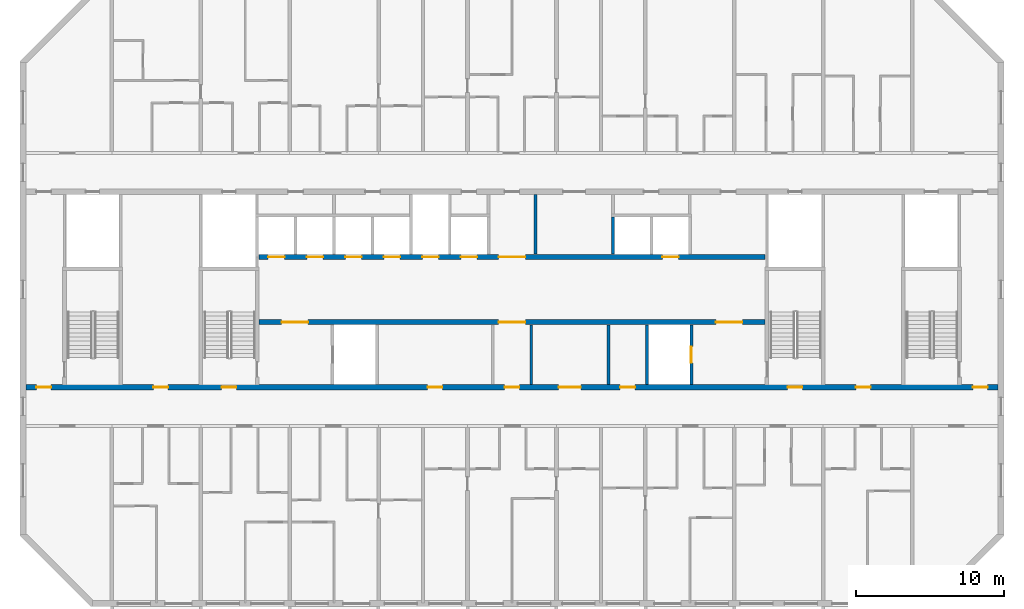
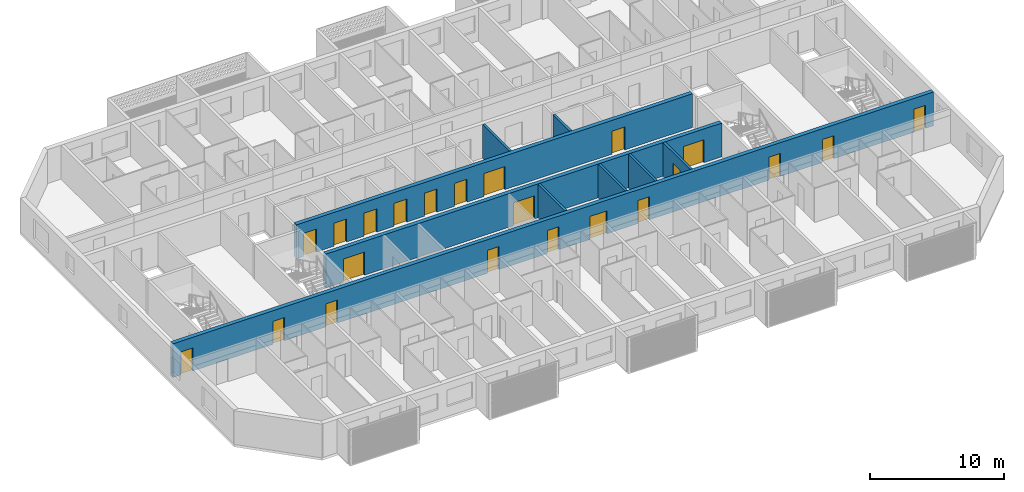
# One storey, part 6 of 26: 22 doors, 9 walls, 22 openings.
"""IFC4 building model written with IfcOpenShell, lengths in metres."""

from ifc_helpers import new_model, si_unit, direction, frame, frame_2d, origin, place, context, subcontext, project, spatial, rectangle, extrude, material, layer, layer_set, type_object, element, fill, save


model = new_model("IFC4")

# Units and contexts
model_context = context("Model", 3, precision=1e-05, world=origin(), true_north=direction((0.0, 1.0)))
body_context = subcontext(model_context, "Body", "Model", "MODEL_VIEW")
ifc_project = project(units=[si_unit("LENGTHUNIT", "METRE"), si_unit("AREAUNIT", "SQUARE_METRE"), si_unit("VOLUMEUNIT", "CUBIC_METRE"), si_unit("PLANEANGLEUNIT", "RADIAN"), si_unit("MASSUNIT", "GRAM", prefix="KILO")], contexts=[model_context])

# Site, building, storey
site_placement = place(None, origin())
site = spatial("IfcSite", under=ifc_project, at=site_placement, CompositionType="ELEMENT")
building_placement = place(site_placement, origin())
building = spatial("IfcBuilding", under=site, at=building_placement, Name="Poui Terraces", CompositionType="ELEMENT")
storey_placement = place(building_placement, frame((0.0, 0.0, 221.39990234375)))
storey = spatial("IfcBuildingStorey", under=building, at=storey_placement, Name="L61", CompositionType="ELEMENT", Elevation=221.39990234375)

# Wall, openings, doors
ifc_material_1 = material(Name="Concrete 50 MPa", Category="concrete")
ifc_layer_1 = layer(ifc_material_1, 0.35009765625)
ifc_layer_set_1 = layer_set([ifc_layer_1], Name="Concrete 50 MPa")
wall_type_1 = type_object("IfcWallType", Name="CORE WALL 350 50 MPA", PredefinedType="SOLIDWALL", material=ifc_layer_set_1)
wall_1_placement = place(storey_placement, frame((33.925048828125, 19.0, 0.0), z_axis=(0.0, 0.0, 1.0), x_axis=(1.0, 0.0, 0.0)))
wall_1 = element("IfcWall", 1, at=wall_1_placement, inside=storey, type_object=wall_type_1, Name="CORE WALL", PredefinedType="SOLIDWALL", context=body_context, shape_type="SweptSolid", body=[
    extrude(rectangle(XDim=34.14990234375, YDim=0.35009765625, at=frame_2d((17.074951171875, 0.0))), origin(), (0.0, 0.0, 1.0), 3.080078125),
])
opening_1_placement = place(wall_1_placement, frame((16.175048828125, 0.0, 0.0)))
opening_1 = element("IfcOpeningElement", 2, at=opening_1_placement, cuts=wall_1, Name="Opening FDD60", PredefinedType="OPENING", context=body_context, shape_type="SweptSolid", body=[
    extrude(rectangle(XDim=1.800048828125, YDim=2.10009765625, at=frame_2d((0.89990234375, 1.050048828125))), frame((0.0, 0.18505859375, 0.0), z_axis=(0.0, -1.0, 0.0), x_axis=(1.0, 0.0, 0.0)), (0.0, 0.0, 1.0), 0.3701171875),
])
opening_2_placement = place(wall_1_placement, frame((1.52490234375, 0.0, 0.0)))
opening_2 = element("IfcOpeningElement", 3, at=opening_2_placement, cuts=wall_1, Name="Opening FDD60", PredefinedType="OPENING", context=body_context, shape_type="SweptSolid", body=[
    extrude(rectangle(XDim=1.800048828125, YDim=2.10009765625, at=frame_2d((0.89990234375, 1.050048828125))), frame((0.0, 0.18505859375, 0.0), z_axis=(0.0, -1.0, 0.0), x_axis=(1.0, 0.0, 0.0)), (0.0, 0.0, 1.0), 0.3701171875),
])
opening_3_placement = place(wall_1_placement, frame((30.824951171875, 0.0, 0.0)))
opening_3 = element("IfcOpeningElement", 4, at=opening_3_placement, cuts=wall_1, Name="Opening FDD60", PredefinedType="OPENING", context=body_context, shape_type="SweptSolid", body=[
    extrude(rectangle(XDim=1.800048828125, YDim=2.10009765625, at=frame_2d((0.89990234375, 1.050048828125))), frame((0.0, 0.18505859375, 0.0), z_axis=(0.0, -1.0, 0.0), x_axis=(1.0, 0.0, 0.0)), (0.0, 0.0, 1.0), 0.3701171875),
])
ifc_material_2 = material(Name="Steel fire door", Category="steel")
door_type_1 = type_object("IfcDoorType", Name="DOUBLE LOBBY FIRE DOOR 1800 X 2100", OperationType="DOUBLE_DOOR_SINGLE_SWING", PredefinedType="DOOR", material=ifc_material_2)
door_1_placement = place(opening_1_placement, frame((1.800048828125, 0.0, 0.0), z_axis=(0.0, 0.0, 1.0), x_axis=(-1.0, 0.0, 0.0)))
door_1 = element("IfcDoor", 5, at=door_1_placement, inside=storey, type_object=door_type_1, Name="DOUBLE LOBBY FIRE DOOR 100", OperationType="DOUBLE_DOOR_SINGLE_SWING", OverallHeight=2.10009765625, OverallWidth=1.800048828125, PredefinedType="DOOR", context=body_context, shape_type="SweptSolid", body=[
    extrude(rectangle(XDim=1.800048828125, YDim=2.10009765625, at=frame_2d((0.89990234375, 1.050048828125))), frame((0.0, 0.02490234375, 0.0), z_axis=(0.0, -1.0, 0.0), x_axis=(1.0, 0.0, 0.0)), (0.0, 0.0, 1.0), 0.050048828125),
])
fill(opening_1, door_1)
door_2_placement = place(opening_2_placement, origin())
door_2 = element("IfcDoor", 6, at=door_2_placement, inside=storey, type_object=door_type_1, Name="DOUBLE LOBBY FIRE DOOR 102", OperationType="DOUBLE_DOOR_SINGLE_SWING", OverallHeight=2.10009765625, OverallWidth=1.800048828125, PredefinedType="DOOR", context=body_context, shape_type="SweptSolid", body=[
    extrude(rectangle(XDim=1.800048828125, YDim=2.10009765625, at=frame_2d((0.89990234375, 1.050048828125))), frame((0.0, 0.02490234375, 0.0), z_axis=(0.0, -1.0, 0.0), x_axis=(1.0, 0.0, 0.0)), (0.0, 0.0, 1.0), 0.050048828125),
])
fill(opening_2, door_2)
door_3_placement = place(opening_3_placement, origin())
door_3 = element("IfcDoor", 7, at=door_3_placement, inside=storey, type_object=door_type_1, Name="DOUBLE LOBBY FIRE DOOR 109", OperationType="DOUBLE_DOOR_SINGLE_SWING", OverallHeight=2.10009765625, OverallWidth=1.800048828125, PredefinedType="DOOR", context=body_context, shape_type="SweptSolid", body=[
    extrude(rectangle(XDim=1.800048828125, YDim=2.10009765625, at=frame_2d((0.89990234375, 1.050048828125))), frame((0.0, 0.02490234375, 0.0), z_axis=(0.0, -1.0, 0.0), x_axis=(1.0, 0.0, 0.0)), (0.0, 0.0, 1.0), 0.050048828125),
])
fill(opening_3, door_3)

wall_2_placement = place(storey_placement, frame((33.925048828125, 23.39990234375, 0.0), z_axis=(0.0, 0.0, 1.0), x_axis=(1.0, 0.0, 0.0)))
wall_2 = element("IfcWall", 8, at=wall_2_placement, inside=storey, type_object=wall_type_1, Name="CORE WALL", PredefinedType="SOLIDWALL", context=body_context, shape_type="SweptSolid", body=[
    extrude(rectangle(XDim=34.14990234375, YDim=0.35009765625, at=frame_2d((17.074951171875, 0.0))), origin(), (0.0, 0.0, 1.0), 3.080078125),
])
opening_4_placement = place(wall_2_placement, frame((16.175048828125, 0.0, 0.0)))
opening_4 = element("IfcOpeningElement", 9, at=opening_4_placement, cuts=wall_2, Name="Opening FDD60", PredefinedType="OPENING", context=body_context, shape_type="SweptSolid", body=[
    extrude(rectangle(XDim=1.800048828125, YDim=2.10009765625, at=frame_2d((0.89990234375, 1.050048828125))), frame((0.0, 0.18505859375, 0.0), z_axis=(0.0, -1.0, 0.0), x_axis=(1.0, 0.0, 0.0)), (0.0, 0.0, 1.0), 0.3701171875),
])
opening_5_placement = place(wall_2_placement, frame((0.625, 0.0, 0.0)))
opening_5 = element("IfcOpeningElement", 10, at=opening_5_placement, cuts=wall_2, Name="Opening LD", PredefinedType="OPENING", context=body_context, shape_type="SweptSolid", body=[
    extrude(rectangle(XDim=1.10009765625, YDim=2.10009765625, at=frame_2d((0.550048828125, 1.050048828125))), frame((0.0, 0.18505859375, 0.0), z_axis=(0.0, -1.0, 0.0), x_axis=(1.0, 0.0, 0.0)), (0.0, 0.0, 1.0), 0.3701171875),
])
opening_6_placement = place(wall_2_placement, frame((3.22509765625, 0.0, 0.0)))
opening_6 = element("IfcOpeningElement", 11, at=opening_6_placement, cuts=wall_2, Name="Opening LD", PredefinedType="OPENING", context=body_context, shape_type="SweptSolid", body=[
    extrude(rectangle(XDim=1.10009765625, YDim=2.10009765625, at=frame_2d((0.550048828125, 1.050048828125))), frame((0.0, 0.18505859375, 0.0), z_axis=(0.0, -1.0, 0.0), x_axis=(1.0, 0.0, 0.0)), (0.0, 0.0, 1.0), 0.3701171875),
])
opening_7_placement = place(wall_2_placement, frame((5.824951171875, 0.0, 0.0)))
opening_7 = element("IfcOpeningElement", 12, at=opening_7_placement, cuts=wall_2, Name="Opening LD", PredefinedType="OPENING", context=body_context, shape_type="SweptSolid", body=[
    extrude(rectangle(XDim=1.10009765625, YDim=2.10009765625, at=frame_2d((0.550048828125, 1.050048828125))), frame((0.0, 0.18505859375, 0.0), z_axis=(0.0, -1.0, 0.0), x_axis=(1.0, 0.0, 0.0)), (0.0, 0.0, 1.0), 0.3701171875),
])
opening_8_placement = place(wall_2_placement, frame((8.425048828125, 0.0, 0.0)))
opening_8 = element("IfcOpeningElement", 13, at=opening_8_placement, cuts=wall_2, Name="Opening LD", PredefinedType="OPENING", context=body_context, shape_type="SweptSolid", body=[
    extrude(rectangle(XDim=1.10009765625, YDim=2.10009765625, at=frame_2d((0.550048828125, 1.050048828125))), frame((0.0, 0.18505859375, 0.0), z_axis=(0.0, -1.0, 0.0), x_axis=(1.0, 0.0, 0.0)), (0.0, 0.0, 1.0), 0.3701171875),
])
opening_9_placement = place(wall_2_placement, frame((11.02490234375, 0.0, 0.0)))
opening_9 = element("IfcOpeningElement", 14, at=opening_9_placement, cuts=wall_2, Name="Opening LD", PredefinedType="OPENING", context=body_context, shape_type="SweptSolid", body=[
    extrude(rectangle(XDim=1.10009765625, YDim=2.10009765625, at=frame_2d((0.550048828125, 1.050048828125))), frame((0.0, 0.18505859375, 0.0), z_axis=(0.0, -1.0, 0.0), x_axis=(1.0, 0.0, 0.0)), (0.0, 0.0, 1.0), 0.3701171875),
])
opening_10_placement = place(wall_2_placement, frame((13.625, 0.0, 0.0)))
opening_10 = element("IfcOpeningElement", 15, at=opening_10_placement, cuts=wall_2, Name="Opening LD", PredefinedType="OPENING", context=body_context, shape_type="SweptSolid", body=[
    extrude(rectangle(XDim=1.10009765625, YDim=2.10009765625, at=frame_2d((0.550048828125, 1.050048828125))), frame((0.0, 0.18505859375, 0.0), z_axis=(0.0, -1.0, 0.0), x_axis=(1.0, 0.0, 0.0)), (0.0, 0.0, 1.0), 0.3701171875),
])
opening_11_placement = place(wall_2_placement, frame((27.22509765625, 0.0, 0.0)))
opening_11 = element("IfcOpeningElement", 16, at=opening_11_placement, cuts=wall_2, Name="Opening LD", PredefinedType="OPENING", context=body_context, shape_type="SweptSolid", body=[
    extrude(rectangle(XDim=1.10009765625, YDim=2.10009765625, at=frame_2d((0.550048828125, 1.050048828125))), frame((0.0, 0.18505859375, 0.0), z_axis=(0.0, -1.0, 0.0), x_axis=(1.0, 0.0, 0.0)), (0.0, 0.0, 1.0), 0.3701171875),
])
door_4_placement = place(opening_4_placement, origin())
door_4 = element("IfcDoor", 17, at=door_4_placement, inside=storey, type_object=door_type_1, Name="DOUBLE LOBBY FIRE DOOR 099", OperationType="DOUBLE_DOOR_SINGLE_SWING", OverallHeight=2.10009765625, OverallWidth=1.800048828125, PredefinedType="DOOR", context=body_context, shape_type="SweptSolid", body=[
    extrude(rectangle(XDim=1.800048828125, YDim=2.10009765625, at=frame_2d((0.89990234375, 1.050048828125))), frame((0.0, 0.02490234375, 0.0), z_axis=(0.0, -1.0, 0.0), x_axis=(1.0, 0.0, 0.0)), (0.0, 0.0, 1.0), 0.050048828125),
])
fill(opening_4, door_4)
ifc_material_3 = material(Name="Stainless steel sliding door", Category="steel")
door_type_2 = type_object("IfcDoorType", Name="LIFT LANDING DOOR 1100 X 2100", OperationType="DOUBLE_DOOR_SLIDING", PredefinedType="DOOR", material=ifc_material_3)
door_5_placement = place(opening_5_placement, origin())
door_5 = element("IfcDoor", 18, at=door_5_placement, inside=storey, type_object=door_type_2, Name="LANDING DOOR", OperationType="DOUBLE_DOOR_SLIDING", OverallHeight=2.10009765625, OverallWidth=1.10009765625, PredefinedType="DOOR", context=body_context, shape_type="SweptSolid", body=[
    extrude(rectangle(XDim=1.10009765625, YDim=2.10009765625, at=frame_2d((0.550048828125, 1.050048828125))), frame((0.0, 0.02490234375, 0.0), z_axis=(0.0, -1.0, 0.0), x_axis=(1.0, 0.0, 0.0)), (0.0, 0.0, 1.0), 0.050048828125),
])
fill(opening_5, door_5)
door_6_placement = place(opening_6_placement, origin())
door_6 = element("IfcDoor", 19, at=door_6_placement, inside=storey, type_object=door_type_2, Name="LANDING DOOR", OperationType="DOUBLE_DOOR_SLIDING", OverallHeight=2.10009765625, OverallWidth=1.10009765625, PredefinedType="DOOR", context=body_context, shape_type="SweptSolid", body=[
    extrude(rectangle(XDim=1.10009765625, YDim=2.10009765625, at=frame_2d((0.550048828125, 1.050048828125))), frame((0.0, 0.02490234375, 0.0), z_axis=(0.0, -1.0, 0.0), x_axis=(1.0, 0.0, 0.0)), (0.0, 0.0, 1.0), 0.050048828125),
])
fill(opening_6, door_6)
door_7_placement = place(opening_7_placement, origin())
door_7 = element("IfcDoor", 20, at=door_7_placement, inside=storey, type_object=door_type_2, Name="LANDING DOOR", OperationType="DOUBLE_DOOR_SLIDING", OverallHeight=2.10009765625, OverallWidth=1.10009765625, PredefinedType="DOOR", context=body_context, shape_type="SweptSolid", body=[
    extrude(rectangle(XDim=1.10009765625, YDim=2.10009765625, at=frame_2d((0.550048828125, 1.050048828125))), frame((0.0, 0.02490234375, 0.0), z_axis=(0.0, -1.0, 0.0), x_axis=(1.0, 0.0, 0.0)), (0.0, 0.0, 1.0), 0.050048828125),
])
fill(opening_7, door_7)
door_8_placement = place(opening_8_placement, origin())
door_8 = element("IfcDoor", 21, at=door_8_placement, inside=storey, type_object=door_type_2, Name="LANDING DOOR", OperationType="DOUBLE_DOOR_SLIDING", OverallHeight=2.10009765625, OverallWidth=1.10009765625, PredefinedType="DOOR", context=body_context, shape_type="SweptSolid", body=[
    extrude(rectangle(XDim=1.10009765625, YDim=2.10009765625, at=frame_2d((0.550048828125, 1.050048828125))), frame((0.0, 0.02490234375, 0.0), z_axis=(0.0, -1.0, 0.0), x_axis=(1.0, 0.0, 0.0)), (0.0, 0.0, 1.0), 0.050048828125),
])
fill(opening_8, door_8)
door_9_placement = place(opening_9_placement, origin())
door_9 = element("IfcDoor", 22, at=door_9_placement, inside=storey, type_object=door_type_2, Name="LANDING DOOR", OperationType="DOUBLE_DOOR_SLIDING", OverallHeight=2.10009765625, OverallWidth=1.10009765625, PredefinedType="DOOR", context=body_context, shape_type="SweptSolid", body=[
    extrude(rectangle(XDim=1.10009765625, YDim=2.10009765625, at=frame_2d((0.550048828125, 1.050048828125))), frame((0.0, 0.02490234375, 0.0), z_axis=(0.0, -1.0, 0.0), x_axis=(1.0, 0.0, 0.0)), (0.0, 0.0, 1.0), 0.050048828125),
])
fill(opening_9, door_9)
door_10_placement = place(opening_10_placement, origin())
door_10 = element("IfcDoor", 23, at=door_10_placement, inside=storey, type_object=door_type_2, Name="LANDING DOOR", OperationType="DOUBLE_DOOR_SLIDING", OverallHeight=2.10009765625, OverallWidth=1.10009765625, PredefinedType="DOOR", context=body_context, shape_type="SweptSolid", body=[
    extrude(rectangle(XDim=1.10009765625, YDim=2.10009765625, at=frame_2d((0.550048828125, 1.050048828125))), frame((0.0, 0.02490234375, 0.0), z_axis=(0.0, -1.0, 0.0), x_axis=(1.0, 0.0, 0.0)), (0.0, 0.0, 1.0), 0.050048828125),
])
fill(opening_10, door_10)
door_11_placement = place(opening_11_placement, origin())
door_11 = element("IfcDoor", 24, at=door_11_placement, inside=storey, type_object=door_type_2, Name="LANDING DOOR", OperationType="DOUBLE_DOOR_SLIDING", OverallHeight=2.10009765625, OverallWidth=1.10009765625, PredefinedType="DOOR", context=body_context, shape_type="SweptSolid", body=[
    extrude(rectangle(XDim=1.10009765625, YDim=2.10009765625, at=frame_2d((0.550048828125, 1.050048828125))), frame((0.0, 0.02490234375, 0.0), z_axis=(0.0, -1.0, 0.0), x_axis=(1.0, 0.0, 0.0)), (0.0, 0.0, 1.0), 0.050048828125),
])
fill(opening_11, door_11)

# Walls
ifc_material_4 = material(Name="Fire-rated masonry wall", Category="masonry")
ifc_layer_2 = layer(ifc_material_4, 0.199951171875)
ifc_layer_set_2 = layer_set([ifc_layer_2], Name="Fire-rated masonry wall")
wall_type_2 = type_object("IfcWallType", Name="PLANT ROOM WALL 200", PredefinedType="PARTITIONING", material=ifc_layer_set_2)
for number, where, z_axis, x_axis, name in (
    (25, (52.300048828125, 14.784912109375, 0.0), (0.0, 0.0, 1.0), (0.0, 1.0, 0.0), "PLANT ROOM WALL 200"),
    (26, (52.60009765625, 23.5849609375, 0.0), (0.0, 0.0, 1.0), (0.0, 1.0, 0.0), "PLANT ROOM WALL 200"),
    (27, (57.5, 14.784912109375, 0.0), (0.0, 0.0, 1.0), (0.0, 1.0, 0.0), "PLANT ROOM WALL 200"),
):
    element("IfcWall", number, at=place(storey_placement, frame(where, z_axis=z_axis, x_axis=x_axis)), inside=storey, type_object=wall_type_2, Name=name, PredefinedType="PARTITIONING", context=body_context, shape_type="SweptSolid", body=[
        extrude(rectangle(XDim=4.030029296875, YDim=0.199951171875, at=frame_2d((2.01513671875, 0.0))), origin(), (0.0, 0.0, 1.0), 3.080078125),
    ])
ifc_material_5 = material(Name="Fire-rated masonry shaft wall", Category="masonry")
ifc_layer_3 = layer(ifc_material_5, 0.199951171875)
ifc_layer_set_3 = layer_set([ifc_layer_3], Name="Fire-rated masonry shaft wall")
wall_type_3 = type_object("IfcWallType", Name="SHAFT WALL 200", PredefinedType="PARTITIONING", material=ifc_layer_set_3)
wall_3_placement = place(storey_placement, frame((57.800048828125, 23.5849609375, 0.0), z_axis=(0.0, 0.0, 1.0), x_axis=(0.0, 1.0, 0.0)))
element("IfcWall", 28, at=wall_3_placement, inside=storey, type_object=wall_type_3, Name="SHAFT WALL 200", PredefinedType="PARTITIONING", context=body_context, shape_type="SweptSolid", body=[
    extrude(rectangle(XDim=2.51513671875, YDim=0.199951171875, at=frame_2d((1.257568359375, 0.0))), origin(), (0.0, 0.0, 1.0), 3.080078125),
])
wall_4_placement = place(storey_placement, frame((60.10009765625, 14.784912109375, 0.0), z_axis=(0.0, 0.0, 1.0), x_axis=(0.0, 1.0, 0.0)))
element("IfcWall", 29, at=wall_4_placement, inside=storey, type_object=wall_type_3, Name="SHAFT WALL 200", PredefinedType="PARTITIONING", context=body_context, shape_type="SweptSolid", body=[
    extrude(rectangle(XDim=4.030029296875, YDim=0.199951171875, at=frame_2d((2.01513671875, 0.0))), origin(), (0.0, 0.0, 1.0), 3.080078125),
])

# Wall, opening, door
wall_5_placement = place(storey_placement, frame((63.10009765625, 14.784912109375, 0.0), z_axis=(0.0, 0.0, 1.0), x_axis=(0.0, 1.0, 0.0)))
wall_5 = element("IfcWall", 30, at=wall_5_placement, inside=storey, type_object=wall_type_3, Name="SHAFT WALL 200", PredefinedType="PARTITIONING", context=body_context, shape_type="SweptSolid", body=[
    extrude(rectangle(XDim=4.030029296875, YDim=0.199951171875, at=frame_2d((2.01513671875, 0.0))), origin(), (0.0, 0.0, 1.0), 3.080078125),
])
opening_12_placement = place(wall_5_placement, frame((1.465087890625, 0.0, 0.0)))
opening_12 = element("IfcOpeningElement", 31, at=opening_12_placement, cuts=wall_5, Name="Opening LD", PredefinedType="OPENING", context=body_context, shape_type="SweptSolid", body=[
    extrude(rectangle(XDim=1.10009765625, YDim=2.10009765625, at=frame_2d((0.550048828125, 1.050048828125))), frame((0.0, 0.10986328125, 0.0), z_axis=(0.0, -1.0, 0.0), x_axis=(1.0, 0.0, 0.0)), (0.0, 0.0, 1.0), 0.219970703125),
])
door_12_placement = place(opening_12_placement, origin())
door_12 = element("IfcDoor", 32, at=door_12_placement, inside=storey, type_object=door_type_2, Name="LANDING DOOR", OperationType="DOUBLE_DOOR_SLIDING", OverallHeight=2.10009765625, OverallWidth=1.10009765625, PredefinedType="DOOR", context=body_context, shape_type="SweptSolid", body=[
    extrude(rectangle(XDim=1.10009765625, YDim=2.10009765625, at=frame_2d((0.550048828125, 1.050048828125))), frame((0.0, 0.02490234375, 0.0), z_axis=(0.0, -1.0, 0.0), x_axis=(1.0, 0.0, 0.0)), (0.0, 0.0, 1.0), 0.050048828125),
])
fill(opening_12, door_12)

# Wall, openings, doors
ifc_layer_4 = layer(ifc_material_1, 0.35009765625)
ifc_layer_set_4 = layer_set([ifc_layer_4], Name="Concrete 50 MPa")
wall_type_4 = type_object("IfcWallType", Name="SPINE WALL 350 50 MPA", PredefinedType="SOLIDWALL", material=ifc_layer_set_4)
wall_6_placement = place(storey_placement, frame((18.199951171875, 14.60009765625, 0.0), z_axis=(0.0, 0.0, 1.0), x_axis=(1.0, 0.0, 0.0)))
wall_6 = element("IfcWall", 33, at=wall_6_placement, inside=storey, type_object=wall_type_4, Name="SPINE WALL", PredefinedType="SOLIDWALL", context=body_context, shape_type="SweptSolid", body=[
    extrude(rectangle(XDim=65.60009765625, YDim=0.35009765625, at=frame_2d((32.800048828125, 0.0))), origin(), (0.0, 0.0, 1.0), 3.080078125),
])
opening_13_placement = place(wall_6_placement, frame((0.699951171875, 0.0, 0.0)))
opening_13 = element("IfcOpeningElement", 34, at=opening_13_placement, cuts=wall_6, Name="Opening FDL", PredefinedType="OPENING", context=body_context, shape_type="SweptSolid", body=[
    extrude(rectangle(XDim=1.0, YDim=2.10009765625, at=frame_2d((0.5, 1.050048828125))), frame((0.0, 0.18505859375, 0.0), z_axis=(0.0, -1.0, 0.0), x_axis=(1.0, 0.0, 0.0)), (0.0, 0.0, 1.0), 0.3701171875),
])
opening_14_placement = place(wall_6_placement, frame((8.60009765625, 0.0, 0.0)))
opening_14 = element("IfcOpeningElement", 35, at=opening_14_placement, cuts=wall_6, Name="Opening D100", PredefinedType="OPENING", context=body_context, shape_type="SweptSolid", body=[
    extrude(rectangle(XDim=1.0, YDim=2.10009765625, at=frame_2d((0.5, 1.050048828125))), frame((0.0, 0.18505859375, 0.0), z_axis=(0.0, -1.0, 0.0), x_axis=(1.0, 0.0, 0.0)), (0.0, 0.0, 1.0), 0.3701171875),
])
opening_15_placement = place(wall_6_placement, frame((13.199951171875, 0.0, 0.0)))
opening_15 = element("IfcOpeningElement", 36, at=opening_15_placement, cuts=wall_6, Name="Opening FD60S", PredefinedType="OPENING", context=body_context, shape_type="SweptSolid", body=[
    extrude(rectangle(XDim=1.0, YDim=2.10009765625, at=frame_2d((0.5, 1.050048828125))), frame((0.0, 0.18505859375, 0.0), z_axis=(0.0, -1.0, 0.0), x_axis=(1.0, 0.0, 0.0)), (0.0, 0.0, 1.0), 0.3701171875),
])
opening_16_placement = place(wall_6_placement, frame((27.10009765625, 0.0, 0.0)))
opening_16 = element("IfcOpeningElement", 37, at=opening_16_placement, cuts=wall_6, Name="Opening FD60", PredefinedType="OPENING", context=body_context, shape_type="SweptSolid", body=[
    extrude(rectangle(XDim=1.0, YDim=2.10009765625, at=frame_2d((0.5, 1.050048828125))), frame((0.0, 0.18505859375, 0.0), z_axis=(0.0, -1.0, 0.0), x_axis=(1.0, 0.0, 0.0)), (0.0, 0.0, 1.0), 0.3701171875),
])
opening_17_placement = place(wall_6_placement, frame((32.300048828125, 0.0, 0.0)))
opening_17 = element("IfcOpeningElement", 38, at=opening_17_placement, cuts=wall_6, Name="Opening FDL", PredefinedType="OPENING", context=body_context, shape_type="SweptSolid", body=[
    extrude(rectangle(XDim=1.0, YDim=2.10009765625, at=frame_2d((0.5, 1.050048828125))), frame((0.0, 0.18505859375, 0.0), z_axis=(0.0, -1.0, 0.0), x_axis=(1.0, 0.0, 0.0)), (0.0, 0.0, 1.0), 0.3701171875),
])
opening_18_placement = place(wall_6_placement, frame((35.949951171875, 0.0, 0.0)))
opening_18 = element("IfcOpeningElement", 39, at=opening_18_placement, cuts=wall_6, Name="Opening FDP", PredefinedType="OPENING", context=body_context, shape_type="SweptSolid", body=[
    extrude(rectangle(XDim=1.5, YDim=2.10009765625, at=frame_2d((0.75, 1.050048828125))), frame((0.0, 0.18505859375, 0.0), z_axis=(0.0, -1.0, 0.0), x_axis=(1.0, 0.0, 0.0)), (0.0, 0.0, 1.0), 0.3701171875),
])
opening_19_placement = place(wall_6_placement, frame((40.10009765625, 0.0, 0.0)))
opening_19 = element("IfcOpeningElement", 40, at=opening_19_placement, cuts=wall_6, Name="Opening FD60", PredefinedType="OPENING", context=body_context, shape_type="SweptSolid", body=[
    extrude(rectangle(XDim=1.0, YDim=2.10009765625, at=frame_2d((0.5, 1.050048828125))), frame((0.0, 0.18505859375, 0.0), z_axis=(0.0, -1.0, 0.0), x_axis=(1.0, 0.0, 0.0)), (0.0, 0.0, 1.0), 0.3701171875),
])
opening_20_placement = place(wall_6_placement, frame((51.39990234375, 0.0, 0.0)))
opening_20 = element("IfcOpeningElement", 41, at=opening_20_placement, cuts=wall_6, Name="Opening FD60S", PredefinedType="OPENING", context=body_context, shape_type="SweptSolid", body=[
    extrude(rectangle(XDim=1.0, YDim=2.10009765625, at=frame_2d((0.5, 1.050048828125))), frame((0.0, 0.18505859375, 0.0), z_axis=(0.0, -1.0, 0.0), x_axis=(1.0, 0.0, 0.0)), (0.0, 0.0, 1.0), 0.3701171875),
])
opening_21_placement = place(wall_6_placement, frame((56.0, 0.0, 0.0)))
opening_21 = element("IfcOpeningElement", 42, at=opening_21_placement, cuts=wall_6, Name="Opening D100", PredefinedType="OPENING", context=body_context, shape_type="SweptSolid", body=[
    extrude(rectangle(XDim=1.0, YDim=2.10009765625, at=frame_2d((0.5, 1.050048828125))), frame((0.0, 0.18505859375, 0.0), z_axis=(0.0, -1.0, 0.0), x_axis=(1.0, 0.0, 0.0)), (0.0, 0.0, 1.0), 0.3701171875),
])
opening_22_placement = place(wall_6_placement, frame((63.89990234375, 0.0, 0.0)))
opening_22 = element("IfcOpeningElement", 43, at=opening_22_placement, cuts=wall_6, Name="Opening FDL", PredefinedType="OPENING", context=body_context, shape_type="SweptSolid", body=[
    extrude(rectangle(XDim=1.0, YDim=2.10009765625, at=frame_2d((0.5, 1.050048828125))), frame((0.0, 0.18505859375, 0.0), z_axis=(0.0, -1.0, 0.0), x_axis=(1.0, 0.0, 0.0)), (0.0, 0.0, 1.0), 0.3701171875),
])
ifc_material_6 = material(Name="Solid core timber door", Category="wood")
door_type_3 = type_object("IfcDoorType", Name="ACCESSIBLE INTERNAL DOOR 1000 X 2100", OperationType="NOTDEFINED", PredefinedType="DOOR", material=ifc_material_6)
door_13_placement = place(opening_14_placement, frame((1.0, 0.0, 0.0), z_axis=(0.0, 0.0, 1.0), x_axis=(-1.0, 0.0, 0.0)))
door_13 = element("IfcDoor", 44, at=door_13_placement, inside=storey, type_object=door_type_3, Name="ACCESSIBLE INTERNAL DOOR 015", OperationType="SINGLE_SWING_RIGHT", OverallHeight=2.10009765625, OverallWidth=1.0, PredefinedType="DOOR", context=body_context, shape_type="SweptSolid", body=[
    extrude(rectangle(XDim=1.0, YDim=2.10009765625, at=frame_2d((0.5, 1.050048828125))), frame((0.0, 0.02490234375, 0.0), z_axis=(0.0, -1.0, 0.0), x_axis=(1.0, 0.0, 0.0)), (0.0, 0.0, 1.0), 0.050048828125),
])
fill(opening_14, door_13)
door_14_placement = place(opening_21_placement, frame((1.0, 0.0, 0.0), z_axis=(0.0, 0.0, 1.0), x_axis=(-1.0, 0.0, 0.0)))
door_14 = element("IfcDoor", 45, at=door_14_placement, inside=storey, type_object=door_type_3, Name="ACCESSIBLE INTERNAL DOOR 022", OperationType="SINGLE_SWING_LEFT", OverallHeight=2.10009765625, OverallWidth=1.0, PredefinedType="DOOR", context=body_context, shape_type="SweptSolid", body=[
    extrude(rectangle(XDim=1.0, YDim=2.10009765625, at=frame_2d((0.5, 1.050048828125))), frame((0.0, 0.02490234375, 0.0), z_axis=(0.0, -1.0, 0.0), x_axis=(1.0, 0.0, 0.0)), (0.0, 0.0, 1.0), 0.050048828125),
])
fill(opening_21, door_14)
door_type_4 = type_object("IfcDoorType", Name="LOBBY FIRE DOOR 1000 X 2100", OperationType="NOTDEFINED", PredefinedType="DOOR", material=ifc_material_2)
door_15_placement = place(opening_13_placement, frame((1.0, 0.0, 0.0), z_axis=(0.0, 0.0, 1.0), x_axis=(-1.0, 0.0, 0.0)))
door_15 = element("IfcDoor", 46, at=door_15_placement, inside=storey, type_object=door_type_4, Name="LOBBY FIRE DOOR 014", OperationType="SINGLE_SWING_RIGHT", OverallHeight=2.10009765625, OverallWidth=1.0, PredefinedType="DOOR", context=body_context, shape_type="SweptSolid", body=[
    extrude(rectangle(XDim=1.0, YDim=2.10009765625, at=frame_2d((0.5, 1.050048828125))), frame((0.0, 0.02490234375, 0.0), z_axis=(0.0, -1.0, 0.0), x_axis=(1.0, 0.0, 0.0)), (0.0, 0.0, 1.0), 0.050048828125),
])
fill(opening_13, door_15)
door_16_placement = place(opening_17_placement, frame((1.0, 0.0, 0.0), z_axis=(0.0, 0.0, 1.0), x_axis=(-1.0, 0.0, 0.0)))
door_16 = element("IfcDoor", 47, at=door_16_placement, inside=storey, type_object=door_type_4, Name="LOBBY FIRE DOOR 018", OperationType="SINGLE_SWING_LEFT", OverallHeight=2.10009765625, OverallWidth=1.0, PredefinedType="DOOR", context=body_context, shape_type="SweptSolid", body=[
    extrude(rectangle(XDim=1.0, YDim=2.10009765625, at=frame_2d((0.5, 1.050048828125))), frame((0.0, 0.02490234375, 0.0), z_axis=(0.0, -1.0, 0.0), x_axis=(1.0, 0.0, 0.0)), (0.0, 0.0, 1.0), 0.050048828125),
])
fill(opening_17, door_16)
door_17_placement = place(opening_22_placement, frame((1.0, 0.0, 0.0), z_axis=(0.0, 0.0, 1.0), x_axis=(-1.0, 0.0, 0.0)))
door_17 = element("IfcDoor", 48, at=door_17_placement, inside=storey, type_object=door_type_4, Name="LOBBY FIRE DOOR 023", OperationType="SINGLE_SWING_LEFT", OverallHeight=2.10009765625, OverallWidth=1.0, PredefinedType="DOOR", context=body_context, shape_type="SweptSolid", body=[
    extrude(rectangle(XDim=1.0, YDim=2.10009765625, at=frame_2d((0.5, 1.050048828125))), frame((0.0, 0.02490234375, 0.0), z_axis=(0.0, -1.0, 0.0), x_axis=(1.0, 0.0, 0.0)), (0.0, 0.0, 1.0), 0.050048828125),
])
fill(opening_22, door_17)
door_type_5 = type_object("IfcDoorType", Name="PLANT ROOM DOOR PAIR 1500 X 2100", OperationType="DOUBLE_DOOR_SINGLE_SWING", PredefinedType="DOOR", material=ifc_material_2)
door_18_placement = place(opening_18_placement, frame((1.5, 0.0, 0.0), z_axis=(0.0, 0.0, 1.0), x_axis=(-1.0, 0.0, 0.0)))
door_18 = element("IfcDoor", 49, at=door_18_placement, inside=storey, type_object=door_type_5, Name="PLANT ROOM DOOR PAIR 019", OperationType="DOUBLE_DOOR_SINGLE_SWING", OverallHeight=2.10009765625, OverallWidth=1.5, PredefinedType="DOOR", context=body_context, shape_type="SweptSolid", body=[
    extrude(rectangle(XDim=1.5, YDim=2.10009765625, at=frame_2d((0.75, 1.050048828125))), frame((0.0, 0.02490234375, 0.0), z_axis=(0.0, -1.0, 0.0), x_axis=(1.0, 0.0, 0.0)), (0.0, 0.0, 1.0), 0.050048828125),
])
fill(opening_18, door_18)
door_type_6 = type_object("IfcDoorType", Name="SERVICE ROOM FIRE DOOR 1000 X 2100", OperationType="NOTDEFINED", PredefinedType="DOOR", material=ifc_material_2)
door_19_placement = place(opening_16_placement, frame((1.0, 0.0, 0.0), z_axis=(0.0, 0.0, 1.0), x_axis=(-1.0, 0.0, 0.0)))
door_19 = element("IfcDoor", 50, at=door_19_placement, inside=storey, type_object=door_type_6, Name="SERVICE ROOM FIRE DOOR 017", OperationType="SINGLE_SWING_LEFT", OverallHeight=2.10009765625, OverallWidth=1.0, PredefinedType="DOOR", context=body_context, shape_type="SweptSolid", body=[
    extrude(rectangle(XDim=1.0, YDim=2.10009765625, at=frame_2d((0.5, 1.050048828125))), frame((0.0, 0.02490234375, 0.0), z_axis=(0.0, -1.0, 0.0), x_axis=(1.0, 0.0, 0.0)), (0.0, 0.0, 1.0), 0.050048828125),
])
fill(opening_16, door_19)
door_20_placement = place(opening_19_placement, frame((1.0, 0.0, 0.0), z_axis=(0.0, 0.0, 1.0), x_axis=(-1.0, 0.0, 0.0)))
door_20 = element("IfcDoor", 51, at=door_20_placement, inside=storey, type_object=door_type_6, Name="SERVICE ROOM FIRE DOOR 020", OperationType="SINGLE_SWING_LEFT", OverallHeight=2.10009765625, OverallWidth=1.0, PredefinedType="DOOR", context=body_context, shape_type="SweptSolid", body=[
    extrude(rectangle(XDim=1.0, YDim=2.10009765625, at=frame_2d((0.5, 1.050048828125))), frame((0.0, 0.02490234375, 0.0), z_axis=(0.0, -1.0, 0.0), x_axis=(1.0, 0.0, 0.0)), (0.0, 0.0, 1.0), 0.050048828125),
])
fill(opening_19, door_20)
door_type_7 = type_object("IfcDoorType", Name="STAIR DOOR 1000 X 2100", OperationType="NOTDEFINED", PredefinedType="DOOR", material=ifc_material_2)
door_21_placement = place(opening_15_placement, origin())
door_21 = element("IfcDoor", 52, at=door_21_placement, inside=storey, type_object=door_type_7, Name="STAIR DOOR 016", OperationType="SINGLE_SWING_RIGHT", OverallHeight=2.10009765625, OverallWidth=1.0, PredefinedType="DOOR", context=body_context, shape_type="SweptSolid", body=[
    extrude(rectangle(XDim=1.0, YDim=2.10009765625, at=frame_2d((0.5, 1.050048828125))), frame((0.0, 0.02490234375, 0.0), z_axis=(0.0, -1.0, 0.0), x_axis=(1.0, 0.0, 0.0)), (0.0, 0.0, 1.0), 0.050048828125),
])
fill(opening_15, door_21)
door_22_placement = place(opening_20_placement, origin())
door_22 = element("IfcDoor", 53, at=door_22_placement, inside=storey, type_object=door_type_7, Name="STAIR DOOR 021", OperationType="SINGLE_SWING_RIGHT", OverallHeight=2.10009765625, OverallWidth=1.0, PredefinedType="DOOR", context=body_context, shape_type="SweptSolid", body=[
    extrude(rectangle(XDim=1.0, YDim=2.10009765625, at=frame_2d((0.5, 1.050048828125))), frame((0.0, 0.02490234375, 0.0), z_axis=(0.0, -1.0, 0.0), x_axis=(1.0, 0.0, 0.0)), (0.0, 0.0, 1.0), 0.050048828125),
])
fill(opening_20, door_22)

save(model, "model.ifc")
